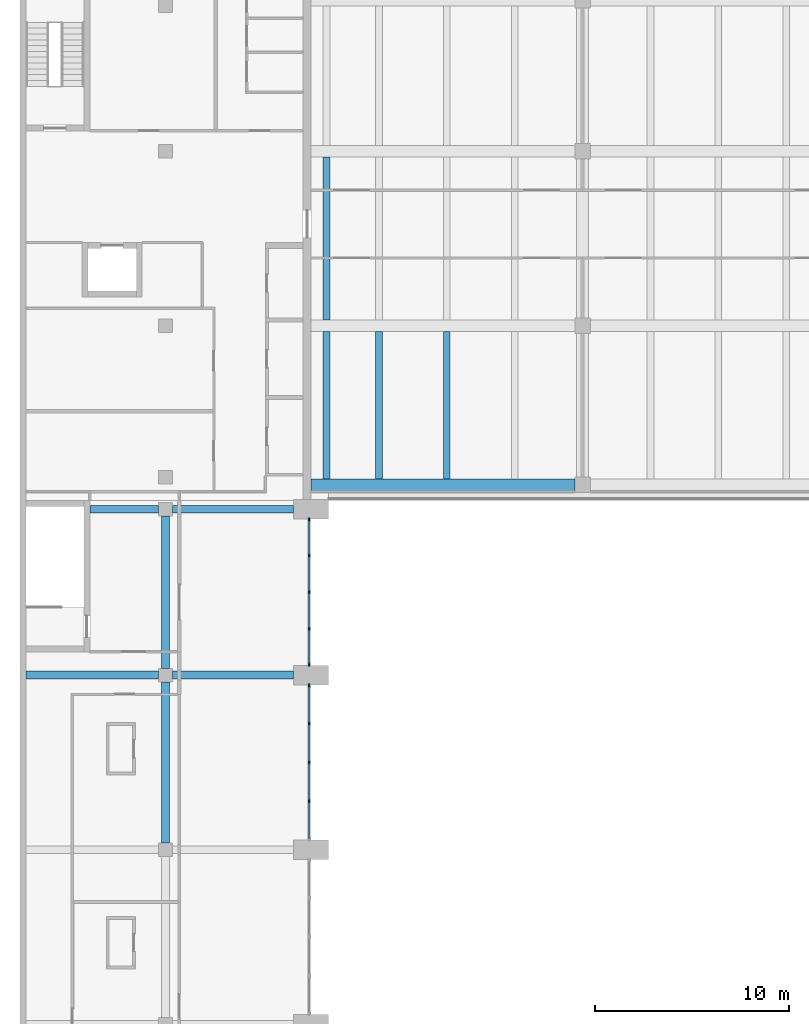
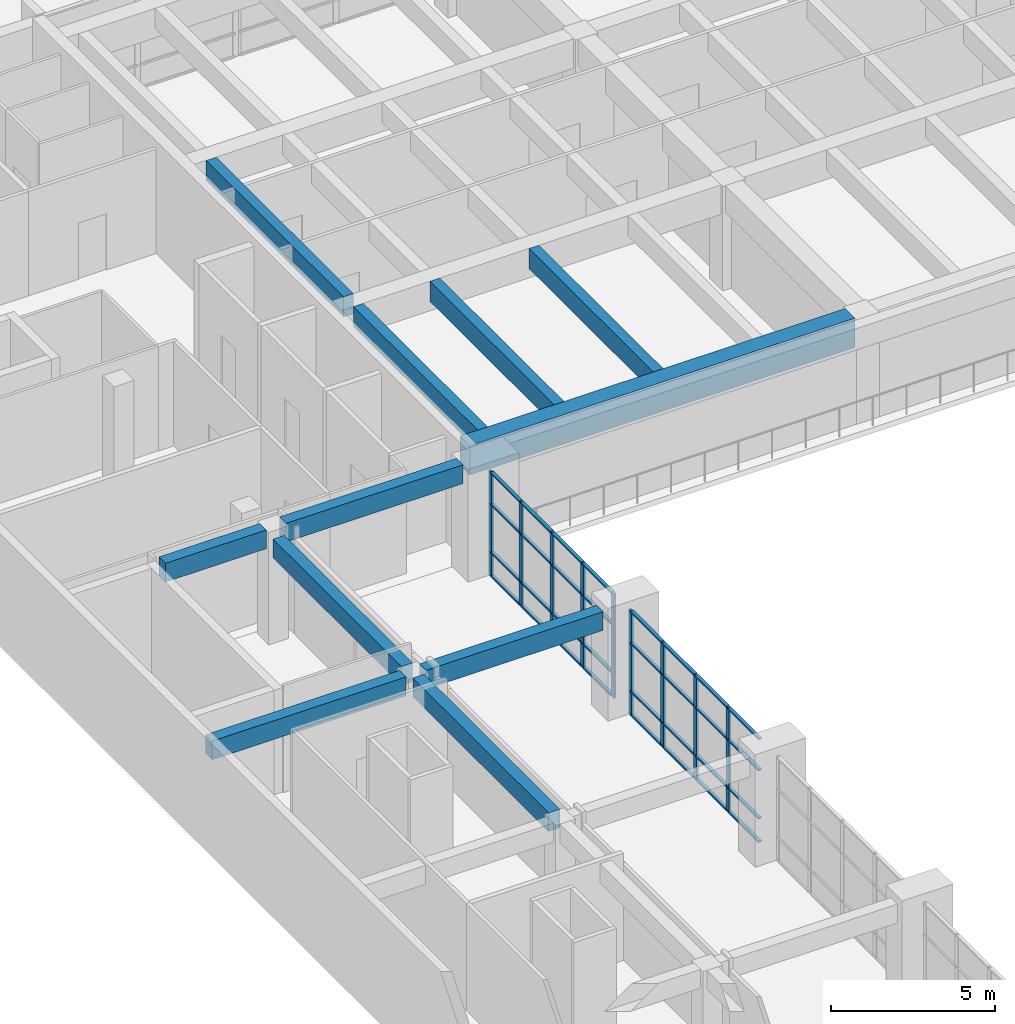
# One storey, part 11 of 45: 41 members, 11 beams, 2 elements without a shape of their own.
"""IFC4 building model written with IfcOpenShell, lengths in metres."""

from ifc_helpers import new_model, si_unit, direction, frame, origin, origin_2d, place, context, subcontext, project, spatial, rectangle, extrude, material, material_profile, profile_set, type_object, element, aggregate, save


model = new_model("IFC4")

# Units and contexts
model_context = context("Model", 3, precision=1e-05, world=origin(), true_north=direction((0.0, 1.0)))
body_context = subcontext(model_context, "Body", "Model", "MODEL_VIEW")
ifc_project = project(units=[si_unit("LENGTHUNIT", "METRE"), si_unit("AREAUNIT", "SQUARE_METRE"), si_unit("VOLUMEUNIT", "CUBIC_METRE"), si_unit("PLANEANGLEUNIT", "RADIAN"), si_unit("MASSUNIT", "GRAM", prefix="KILO")], contexts=[model_context])

# Site, building, storey
site_placement = place(None, origin())
site = spatial("IfcSite", under=ifc_project, at=site_placement, CompositionType="ELEMENT")
building_placement = place(site_placement, origin())
building = spatial("IfcBuilding", under=site, at=building_placement, Name="Elmora Arch Market Hall", CompositionType="ELEMENT")
storey_placement = place(building_placement, frame((0.0, 0.0, 6.0)))
storey = spatial("IfcBuildingStorey", under=building, at=storey_placement, Name="L01", CompositionType="ELEMENT", Elevation=6.0)

# Beams
ifc_material_1 = material(Name="Concrete C32/40", Category="concrete")
ifc_material_profile_1 = material_profile(ifc_material_1, rectangle(XDim=0.60009765625, YDim=1.10009765625, at=origin_2d()), Name="Bridge girder 600x1100")
ifc_profile_set_1 = profile_set([ifc_material_profile_1], Name="Concrete C32/40")
beam_type_1 = type_object("IfcBeamType", Name="Bridge girder 600x1100", PredefinedType="BEAM", material=ifc_profile_set_1)
beam_1_placement = place(storey_placement, frame((15.0, 99.800048828125, 3.35009765625), z_axis=(1.0, 0.0, 0.0), x_axis=(0.0, 1.0, 0.0)))
element("IfcBeam", 1, at=beam_1_placement, inside=storey, type_object=beam_type_1, Name="Bridge girder NR1 L01.1", PredefinedType="BEAM", context=body_context, shape_type="SweptSolid", body=[
    extrude(rectangle(XDim=0.60009765625, YDim=1.10009765625, at=origin_2d()), origin(), (0.0, 0.0, 1.0), 13.60009765625),
])
ifc_material_2 = material(Name="Concrete C32/40", Category="concrete")
ifc_material_profile_2 = material_profile(ifc_material_2, rectangle(XDim=0.35009765625, YDim=0.75, at=origin_2d()), Name="Bridge joist 350x750")
ifc_profile_set_2 = profile_set([ifc_material_profile_2], Name="Concrete C32/40")
beam_type_2 = type_object("IfcBeamType", Name="Bridge joist 350x750", PredefinedType="JOIST", material=ifc_profile_set_2)
beam_2_placement = place(storey_placement, frame((15.800048828125, 100.10009765625, 3.52490234375), z_axis=(0.0, 1.0, 0.0), x_axis=(-1.0, 0.0, 0.0)))
element("IfcBeam", 2, at=beam_2_placement, inside=storey, type_object=beam_type_2, Name="Bridge joist NJ1 L01.1", PredefinedType="JOIST", context=body_context, shape_type="SweptSolid", body=[
    extrude(rectangle(XDim=0.35009765625, YDim=0.75, at=origin_2d()), origin(), (0.0, 0.0, 1.0), 7.599853515625),
])
beam_3_placement = place(storey_placement, frame((15.800048828125, 108.300048828125, 3.52490234375), z_axis=(0.0, 1.0, 0.0), x_axis=(-1.0, 0.0, 0.0)))
element("IfcBeam", 3, at=beam_3_placement, inside=storey, type_object=beam_type_2, Name="Bridge joist NJ1 L01.2", PredefinedType="JOIST", context=body_context, shape_type="SweptSolid", body=[
    extrude(rectangle(XDim=0.35009765625, YDim=0.75, at=origin_2d()), origin(), (0.0, 0.0, 1.0), 8.39990234375),
])
for number, where, z_axis, x_axis, name in (
    (4, (18.5, 100.10009765625, 3.52490234375), (0.0, 1.0, 0.0), (-1.0, 0.0, 0.0), "Bridge joist NJ2 L01.1"),
    (5, (22.0, 100.10009765625, 3.52490234375), (0.0, 1.0, 0.0), (-1.0, 0.0, 0.0), "Bridge joist NJ3 L01.1"),
):
    element("IfcBeam", number, at=place(storey_placement, frame(where, z_axis=z_axis, x_axis=x_axis)), inside=storey, type_object=beam_type_2, Name=name, PredefinedType="JOIST", context=body_context, shape_type="SweptSolid", body=[
        extrude(rectangle(XDim=0.35009765625, YDim=0.75, at=origin_2d()), origin(), (0.0, 0.0, 1.0), 7.599853515625),
    ])

# Curtain wall, members
ifc_material_3 = material(Name="Aluminium", Category="aluminium")
curtain_wall_type = type_object("IfcCurtainWallType", Name="Hall front curtain wall", PredefinedType="NOTDEFINED", material=ifc_material_3)
curtain_wall_1_placement = place(storey_placement, origin())
curtain_wall_1 = element("IfcCurtainWall", 6, at=curtain_wall_1_placement, inside=storey, type_object=curtain_wall_type, Name="Wing front W L01 7", PredefinedType="NOTDEFINED")
ifc_material_4 = material(Name="Aluminium", Category="aluminium")
ifc_material_profile_3 = material_profile(ifc_material_4, rectangle(XDim=0.080078125, YDim=0.179931640625, at=origin_2d()), Name="AL 80x180")
ifc_profile_set_3 = profile_set([ifc_material_profile_3], Name="Aluminium")
member_type_1 = type_object("IfcMemberType", Name="Mullion 80x180", PredefinedType="MULLION", material=ifc_profile_set_3)
member_1_placement = place(storey_placement, frame((14.89990234375, 83.5, 0.0), z_axis=(0.0, 0.0, 1.0), x_axis=(-1.0, 0.0, 0.0)))
member_1 = element("IfcMember", 7, at=member_1_placement, type_object=member_type_1, Name="CW2 mullion 2", PredefinedType="MULLION", context=body_context, shape_type="SweptSolid", body=[
    extrude(rectangle(XDim=0.080078125, YDim=0.179931640625, at=origin_2d()), origin(), (0.0, 0.0, 1.0), 3.89990234375),
])
member_2_placement = place(storey_placement, frame((14.89990234375, 85.5, 0.0), z_axis=(0.0, 0.0, 1.0), x_axis=(-1.0, 0.0, 0.0)))
member_2 = element("IfcMember", 8, at=member_2_placement, type_object=member_type_1, Name="CW2 mullion 3", PredefinedType="MULLION", context=body_context, shape_type="SweptSolid", body=[
    extrude(rectangle(XDim=0.080078125, YDim=0.179931640625, at=origin_2d()), origin(), (0.0, 0.0, 1.0), 3.89990234375),
])
member_3_placement = place(storey_placement, frame((14.89990234375, 87.5, 0.0), z_axis=(0.0, 0.0, 1.0), x_axis=(-1.0, 0.0, 0.0)))
member_3 = element("IfcMember", 9, at=member_3_placement, type_object=member_type_1, Name="CW2 mullion 4", PredefinedType="MULLION", context=body_context, shape_type="SweptSolid", body=[
    extrude(rectangle(XDim=0.080078125, YDim=0.179931640625, at=origin_2d()), origin(), (0.0, 0.0, 1.0), 3.89990234375),
])
member_4_placement = place(storey_placement, frame((14.89990234375, 89.4599609375, 0.0), z_axis=(0.0, 0.0, 1.0), x_axis=(-1.0, 0.0, 0.0)))
member_4 = element("IfcMember", 10, at=member_4_placement, type_object=member_type_1, Name="CW2 mullion 5", PredefinedType="MULLION", context=body_context, shape_type="SweptSolid", body=[
    extrude(rectangle(XDim=0.080078125, YDim=0.179931640625, at=origin_2d()), origin(), (0.0, 0.0, 1.0), 3.89990234375),
])

curtain_wall_2_placement = place(storey_placement, origin())
curtain_wall_2 = element("IfcCurtainWall", 11, at=curtain_wall_2_placement, inside=storey, type_object=curtain_wall_type, Name="Wing front W L01 8", PredefinedType="NOTDEFINED")
member_5_placement = place(storey_placement, frame((14.89990234375, 90.5400390625, 0.0), z_axis=(0.0, 0.0, 1.0), x_axis=(-1.0, 0.0, 0.0)))
member_5 = element("IfcMember", 12, at=member_5_placement, type_object=member_type_1, Name="CW2 mullion 1", PredefinedType="MULLION", context=body_context, shape_type="SweptSolid", body=[
    extrude(rectangle(XDim=0.080078125, YDim=0.179931640625, at=origin_2d()), origin(), (0.0, 0.0, 1.0), 3.89990234375),
])
member_6_placement = place(storey_placement, frame((14.89990234375, 92.387451171875, 0.0), z_axis=(0.0, 0.0, 1.0), x_axis=(-1.0, 0.0, 0.0)))
member_6 = element("IfcMember", 13, at=member_6_placement, type_object=member_type_1, Name="CW2 mullion 2", PredefinedType="MULLION", context=body_context, shape_type="SweptSolid", body=[
    extrude(rectangle(XDim=0.080078125, YDim=0.179931640625, at=origin_2d()), origin(), (0.0, 0.0, 1.0), 3.89990234375),
])
member_7_placement = place(storey_placement, frame((14.89990234375, 94.27490234375, 0.0), z_axis=(0.0, 0.0, 1.0), x_axis=(-1.0, 0.0, 0.0)))
member_7 = element("IfcMember", 14, at=member_7_placement, type_object=member_type_1, Name="CW2 mullion 3", PredefinedType="MULLION", context=body_context, shape_type="SweptSolid", body=[
    extrude(rectangle(XDim=0.080078125, YDim=0.179931640625, at=origin_2d()), origin(), (0.0, 0.0, 1.0), 3.89990234375),
])
member_8_placement = place(storey_placement, frame((14.89990234375, 96.16259765625, 0.0), z_axis=(0.0, 0.0, 1.0), x_axis=(-1.0, 0.0, 0.0)))
member_8 = element("IfcMember", 15, at=member_8_placement, type_object=member_type_1, Name="CW2 mullion 4", PredefinedType="MULLION", context=body_context, shape_type="SweptSolid", body=[
    extrude(rectangle(XDim=0.080078125, YDim=0.179931640625, at=origin_2d()), origin(), (0.0, 0.0, 1.0), 3.89990234375),
])
member_9_placement = place(storey_placement, frame((14.89990234375, 98.010009765625, 0.0), z_axis=(0.0, 0.0, 1.0), x_axis=(-1.0, 0.0, 0.0)))
member_9 = element("IfcMember", 16, at=member_9_placement, type_object=member_type_1, Name="CW2 mullion 5", PredefinedType="MULLION", context=body_context, shape_type="SweptSolid", body=[
    extrude(rectangle(XDim=0.080078125, YDim=0.179931640625, at=origin_2d()), origin(), (0.0, 0.0, 1.0), 3.89990234375),
])

# Member
ifc_material_5 = material(Name="Aluminium", Category="aluminium")
ifc_material_profile_4 = material_profile(ifc_material_5, rectangle(XDim=0.1201171875, YDim=0.06005859375, at=origin_2d()), Name="AL 120x60")
ifc_profile_set_4 = profile_set([ifc_material_profile_4], Name="Aluminium")
member_type_2 = type_object("IfcMemberType", Name="Transom 120x60", PredefinedType="USERDEFINED", material=ifc_profile_set_4)
member_10_placement = place(storey_placement, frame((14.89990234375, 81.580078125, 0.030029296875), z_axis=(0.0, 1.0, 0.0), x_axis=(-1.0, 0.0, 0.0)))
member_10 = element("IfcMember", 17, at=member_10_placement, type_object=member_type_2, Name="CW2 transom 1.1", ObjectType="TRANSOM", PredefinedType="USERDEFINED", context=body_context, shape_type="SweptSolid", body=[
    extrude(rectangle(XDim=0.1201171875, YDim=0.06005859375, at=origin_2d()), origin(), (0.0, 0.0, 1.0), 1.8798828125),
])

member_11_placement = place(storey_placement, frame((14.89990234375, 81.580078125, 0.89990234375), z_axis=(0.0, 1.0, 0.0), x_axis=(-1.0, 0.0, 0.0)))
member_11 = element("IfcMember", 18, at=member_11_placement, type_object=member_type_2, Name="CW2 transom 1.2", ObjectType="TRANSOM", PredefinedType="USERDEFINED", context=body_context, shape_type="SweptSolid", body=[
    extrude(rectangle(XDim=0.1201171875, YDim=0.06005859375, at=origin_2d()), origin(), (0.0, 0.0, 1.0), 1.8798828125),
])

member_12_placement = place(storey_placement, frame((14.89990234375, 81.580078125, 2.699951171875), z_axis=(0.0, 1.0, 0.0), x_axis=(-1.0, 0.0, 0.0)))
member_12 = element("IfcMember", 19, at=member_12_placement, type_object=member_type_2, Name="CW2 transom 1.3", ObjectType="TRANSOM", PredefinedType="USERDEFINED", context=body_context, shape_type="SweptSolid", body=[
    extrude(rectangle(XDim=0.1201171875, YDim=0.06005859375, at=origin_2d()), origin(), (0.0, 0.0, 1.0), 1.8798828125),
])

member_13_placement = place(storey_placement, frame((14.89990234375, 81.580078125, 3.8701171875), z_axis=(0.0, 1.0, 0.0), x_axis=(-1.0, 0.0, 0.0)))
member_13 = element("IfcMember", 20, at=member_13_placement, type_object=member_type_2, Name="CW2 transom 1.4", ObjectType="TRANSOM", PredefinedType="USERDEFINED", context=body_context, shape_type="SweptSolid", body=[
    extrude(rectangle(XDim=0.1201171875, YDim=0.06005859375, at=origin_2d()), origin(), (0.0, 0.0, 1.0), 1.8798828125),
])

member_14_placement = place(storey_placement, frame((14.89990234375, 83.5400390625, 0.030029296875), z_axis=(0.0, 1.0, 0.0), x_axis=(-1.0, 0.0, 0.0)))
member_14 = element("IfcMember", 21, at=member_14_placement, type_object=member_type_2, Name="CW2 transom 2.1", ObjectType="TRANSOM", PredefinedType="USERDEFINED", context=body_context, shape_type="SweptSolid", body=[
    extrude(rectangle(XDim=0.1201171875, YDim=0.06005859375, at=origin_2d()), origin(), (0.0, 0.0, 1.0), 1.919921875),
])

member_15_placement = place(storey_placement, frame((14.89990234375, 83.5400390625, 0.89990234375), z_axis=(0.0, 1.0, 0.0), x_axis=(-1.0, 0.0, 0.0)))
member_15 = element("IfcMember", 22, at=member_15_placement, type_object=member_type_2, Name="CW2 transom 2.2", ObjectType="TRANSOM", PredefinedType="USERDEFINED", context=body_context, shape_type="SweptSolid", body=[
    extrude(rectangle(XDim=0.1201171875, YDim=0.06005859375, at=origin_2d()), origin(), (0.0, 0.0, 1.0), 1.919921875),
])

member_16_placement = place(storey_placement, frame((14.89990234375, 83.5400390625, 2.699951171875), z_axis=(0.0, 1.0, 0.0), x_axis=(-1.0, 0.0, 0.0)))
member_16 = element("IfcMember", 23, at=member_16_placement, type_object=member_type_2, Name="CW2 transom 2.3", ObjectType="TRANSOM", PredefinedType="USERDEFINED", context=body_context, shape_type="SweptSolid", body=[
    extrude(rectangle(XDim=0.1201171875, YDim=0.06005859375, at=origin_2d()), origin(), (0.0, 0.0, 1.0), 1.919921875),
])

member_17_placement = place(storey_placement, frame((14.89990234375, 83.5400390625, 3.8701171875), z_axis=(0.0, 1.0, 0.0), x_axis=(-1.0, 0.0, 0.0)))
member_17 = element("IfcMember", 24, at=member_17_placement, type_object=member_type_2, Name="CW2 transom 2.4", ObjectType="TRANSOM", PredefinedType="USERDEFINED", context=body_context, shape_type="SweptSolid", body=[
    extrude(rectangle(XDim=0.1201171875, YDim=0.06005859375, at=origin_2d()), origin(), (0.0, 0.0, 1.0), 1.919921875),
])

member_18_placement = place(storey_placement, frame((14.89990234375, 85.5400390625, 0.030029296875), z_axis=(0.0, 1.0, 0.0), x_axis=(-1.0, 0.0, 0.0)))
member_18 = element("IfcMember", 25, at=member_18_placement, type_object=member_type_2, Name="CW2 transom 3.1", ObjectType="TRANSOM", PredefinedType="USERDEFINED", context=body_context, shape_type="SweptSolid", body=[
    extrude(rectangle(XDim=0.1201171875, YDim=0.06005859375, at=origin_2d()), origin(), (0.0, 0.0, 1.0), 1.919921875),
])

member_19_placement = place(storey_placement, frame((14.89990234375, 85.5400390625, 0.89990234375), z_axis=(0.0, 1.0, 0.0), x_axis=(-1.0, 0.0, 0.0)))
member_19 = element("IfcMember", 26, at=member_19_placement, type_object=member_type_2, Name="CW2 transom 3.2", ObjectType="TRANSOM", PredefinedType="USERDEFINED", context=body_context, shape_type="SweptSolid", body=[
    extrude(rectangle(XDim=0.1201171875, YDim=0.06005859375, at=origin_2d()), origin(), (0.0, 0.0, 1.0), 1.919921875),
])

member_20_placement = place(storey_placement, frame((14.89990234375, 85.5400390625, 2.699951171875), z_axis=(0.0, 1.0, 0.0), x_axis=(-1.0, 0.0, 0.0)))
member_20 = element("IfcMember", 27, at=member_20_placement, type_object=member_type_2, Name="CW2 transom 3.3", ObjectType="TRANSOM", PredefinedType="USERDEFINED", context=body_context, shape_type="SweptSolid", body=[
    extrude(rectangle(XDim=0.1201171875, YDim=0.06005859375, at=origin_2d()), origin(), (0.0, 0.0, 1.0), 1.919921875),
])

member_21_placement = place(storey_placement, frame((14.89990234375, 85.5400390625, 3.8701171875), z_axis=(0.0, 1.0, 0.0), x_axis=(-1.0, 0.0, 0.0)))
member_21 = element("IfcMember", 28, at=member_21_placement, type_object=member_type_2, Name="CW2 transom 3.4", ObjectType="TRANSOM", PredefinedType="USERDEFINED", context=body_context, shape_type="SweptSolid", body=[
    extrude(rectangle(XDim=0.1201171875, YDim=0.06005859375, at=origin_2d()), origin(), (0.0, 0.0, 1.0), 1.919921875),
])

member_22_placement = place(storey_placement, frame((14.89990234375, 87.5400390625, 0.030029296875), z_axis=(0.0, 1.0, 0.0), x_axis=(-1.0, 0.0, 0.0)))
member_22 = element("IfcMember", 29, at=member_22_placement, type_object=member_type_2, Name="CW2 transom 4.1", ObjectType="TRANSOM", PredefinedType="USERDEFINED", context=body_context, shape_type="SweptSolid", body=[
    extrude(rectangle(XDim=0.1201171875, YDim=0.06005859375, at=origin_2d()), origin(), (0.0, 0.0, 1.0), 1.8798828125),
])

member_23_placement = place(storey_placement, frame((14.89990234375, 87.5400390625, 0.89990234375), z_axis=(0.0, 1.0, 0.0), x_axis=(-1.0, 0.0, 0.0)))
member_23 = element("IfcMember", 30, at=member_23_placement, type_object=member_type_2, Name="CW2 transom 4.2", ObjectType="TRANSOM", PredefinedType="USERDEFINED", context=body_context, shape_type="SweptSolid", body=[
    extrude(rectangle(XDim=0.1201171875, YDim=0.06005859375, at=origin_2d()), origin(), (0.0, 0.0, 1.0), 1.8798828125),
])

member_24_placement = place(storey_placement, frame((14.89990234375, 87.5400390625, 2.699951171875), z_axis=(0.0, 1.0, 0.0), x_axis=(-1.0, 0.0, 0.0)))
member_24 = element("IfcMember", 31, at=member_24_placement, type_object=member_type_2, Name="CW2 transom 4.3", ObjectType="TRANSOM", PredefinedType="USERDEFINED", context=body_context, shape_type="SweptSolid", body=[
    extrude(rectangle(XDim=0.1201171875, YDim=0.06005859375, at=origin_2d()), origin(), (0.0, 0.0, 1.0), 1.8798828125),
])

member_25_placement = place(storey_placement, frame((14.89990234375, 87.5400390625, 3.8701171875), z_axis=(0.0, 1.0, 0.0), x_axis=(-1.0, 0.0, 0.0)))
member_25 = element("IfcMember", 32, at=member_25_placement, type_object=member_type_2, Name="CW2 transom 4.4", ObjectType="TRANSOM", PredefinedType="USERDEFINED", context=body_context, shape_type="SweptSolid", body=[
    extrude(rectangle(XDim=0.1201171875, YDim=0.06005859375, at=origin_2d()), origin(), (0.0, 0.0, 1.0), 1.8798828125),
])

aggregate(curtain_wall_1, [member_1, member_2, member_3, member_4, member_10, member_11, member_12, member_13, member_14, member_15, member_16, member_17, member_18, member_19, member_20, member_21, member_22, member_23, member_24, member_25])

member_26_placement = place(storey_placement, frame((14.89990234375, 90.580078125, 0.030029296875), z_axis=(0.0, 1.0, 0.0), x_axis=(-1.0, 0.0, 0.0)))
member_26 = element("IfcMember", 33, at=member_26_placement, type_object=member_type_2, Name="CW2 transom 1.1", ObjectType="TRANSOM", PredefinedType="USERDEFINED", context=body_context, shape_type="SweptSolid", body=[
    extrude(rectangle(XDim=0.1201171875, YDim=0.06005859375, at=origin_2d()), origin(), (0.0, 0.0, 1.0), 1.767333984375),
])

member_27_placement = place(storey_placement, frame((14.89990234375, 90.580078125, 0.89990234375), z_axis=(0.0, 1.0, 0.0), x_axis=(-1.0, 0.0, 0.0)))
member_27 = element("IfcMember", 34, at=member_27_placement, type_object=member_type_2, Name="CW2 transom 1.2", ObjectType="TRANSOM", PredefinedType="USERDEFINED", context=body_context, shape_type="SweptSolid", body=[
    extrude(rectangle(XDim=0.1201171875, YDim=0.06005859375, at=origin_2d()), origin(), (0.0, 0.0, 1.0), 1.767333984375),
])

member_28_placement = place(storey_placement, frame((14.89990234375, 90.580078125, 2.699951171875), z_axis=(0.0, 1.0, 0.0), x_axis=(-1.0, 0.0, 0.0)))
member_28 = element("IfcMember", 35, at=member_28_placement, type_object=member_type_2, Name="CW2 transom 1.3", ObjectType="TRANSOM", PredefinedType="USERDEFINED", context=body_context, shape_type="SweptSolid", body=[
    extrude(rectangle(XDim=0.1201171875, YDim=0.06005859375, at=origin_2d()), origin(), (0.0, 0.0, 1.0), 1.767333984375),
])

member_29_placement = place(storey_placement, frame((14.89990234375, 90.580078125, 3.8701171875), z_axis=(0.0, 1.0, 0.0), x_axis=(-1.0, 0.0, 0.0)))
member_29 = element("IfcMember", 36, at=member_29_placement, type_object=member_type_2, Name="CW2 transom 1.4", ObjectType="TRANSOM", PredefinedType="USERDEFINED", context=body_context, shape_type="SweptSolid", body=[
    extrude(rectangle(XDim=0.1201171875, YDim=0.06005859375, at=origin_2d()), origin(), (0.0, 0.0, 1.0), 1.767333984375),
])

member_30_placement = place(storey_placement, frame((14.89990234375, 92.427490234375, 0.030029296875), z_axis=(0.0, 1.0, 0.0), x_axis=(-1.0, 0.0, 0.0)))
member_30 = element("IfcMember", 37, at=member_30_placement, type_object=member_type_2, Name="CW2 transom 2.1", ObjectType="TRANSOM", PredefinedType="USERDEFINED", context=body_context, shape_type="SweptSolid", body=[
    extrude(rectangle(XDim=0.1201171875, YDim=0.06005859375, at=origin_2d()), origin(), (0.0, 0.0, 1.0), 1.8076171875),
])

member_31_placement = place(storey_placement, frame((14.89990234375, 92.427490234375, 0.89990234375), z_axis=(0.0, 1.0, 0.0), x_axis=(-1.0, 0.0, 0.0)))
member_31 = element("IfcMember", 38, at=member_31_placement, type_object=member_type_2, Name="CW2 transom 2.2", ObjectType="TRANSOM", PredefinedType="USERDEFINED", context=body_context, shape_type="SweptSolid", body=[
    extrude(rectangle(XDim=0.1201171875, YDim=0.06005859375, at=origin_2d()), origin(), (0.0, 0.0, 1.0), 1.8076171875),
])

member_32_placement = place(storey_placement, frame((14.89990234375, 92.427490234375, 2.699951171875), z_axis=(0.0, 1.0, 0.0), x_axis=(-1.0, 0.0, 0.0)))
member_32 = element("IfcMember", 39, at=member_32_placement, type_object=member_type_2, Name="CW2 transom 2.3", ObjectType="TRANSOM", PredefinedType="USERDEFINED", context=body_context, shape_type="SweptSolid", body=[
    extrude(rectangle(XDim=0.1201171875, YDim=0.06005859375, at=origin_2d()), origin(), (0.0, 0.0, 1.0), 1.8076171875),
])

member_33_placement = place(storey_placement, frame((14.89990234375, 92.427490234375, 3.8701171875), z_axis=(0.0, 1.0, 0.0), x_axis=(-1.0, 0.0, 0.0)))
member_33 = element("IfcMember", 40, at=member_33_placement, type_object=member_type_2, Name="CW2 transom 2.4", ObjectType="TRANSOM", PredefinedType="USERDEFINED", context=body_context, shape_type="SweptSolid", body=[
    extrude(rectangle(XDim=0.1201171875, YDim=0.06005859375, at=origin_2d()), origin(), (0.0, 0.0, 1.0), 1.8076171875),
])

member_34_placement = place(storey_placement, frame((14.89990234375, 94.31494140625, 0.030029296875), z_axis=(0.0, 1.0, 0.0), x_axis=(-1.0, 0.0, 0.0)))
member_34 = element("IfcMember", 41, at=member_34_placement, type_object=member_type_2, Name="CW2 transom 3.1", ObjectType="TRANSOM", PredefinedType="USERDEFINED", context=body_context, shape_type="SweptSolid", body=[
    extrude(rectangle(XDim=0.1201171875, YDim=0.06005859375, at=origin_2d()), origin(), (0.0, 0.0, 1.0), 1.8076171875),
])

member_35_placement = place(storey_placement, frame((14.89990234375, 94.31494140625, 0.89990234375), z_axis=(0.0, 1.0, 0.0), x_axis=(-1.0, 0.0, 0.0)))
member_35 = element("IfcMember", 42, at=member_35_placement, type_object=member_type_2, Name="CW2 transom 3.2", ObjectType="TRANSOM", PredefinedType="USERDEFINED", context=body_context, shape_type="SweptSolid", body=[
    extrude(rectangle(XDim=0.1201171875, YDim=0.06005859375, at=origin_2d()), origin(), (0.0, 0.0, 1.0), 1.8076171875),
])

member_36_placement = place(storey_placement, frame((14.89990234375, 94.31494140625, 2.699951171875), z_axis=(0.0, 1.0, 0.0), x_axis=(-1.0, 0.0, 0.0)))
member_36 = element("IfcMember", 43, at=member_36_placement, type_object=member_type_2, Name="CW2 transom 3.3", ObjectType="TRANSOM", PredefinedType="USERDEFINED", context=body_context, shape_type="SweptSolid", body=[
    extrude(rectangle(XDim=0.1201171875, YDim=0.06005859375, at=origin_2d()), origin(), (0.0, 0.0, 1.0), 1.8076171875),
])

member_37_placement = place(storey_placement, frame((14.89990234375, 94.31494140625, 3.8701171875), z_axis=(0.0, 1.0, 0.0), x_axis=(-1.0, 0.0, 0.0)))
member_37 = element("IfcMember", 44, at=member_37_placement, type_object=member_type_2, Name="CW2 transom 3.4", ObjectType="TRANSOM", PredefinedType="USERDEFINED", context=body_context, shape_type="SweptSolid", body=[
    extrude(rectangle(XDim=0.1201171875, YDim=0.06005859375, at=origin_2d()), origin(), (0.0, 0.0, 1.0), 1.8076171875),
])

member_38_placement = place(storey_placement, frame((14.89990234375, 96.202392578125, 0.030029296875), z_axis=(0.0, 1.0, 0.0), x_axis=(-1.0, 0.0, 0.0)))
member_38 = element("IfcMember", 45, at=member_38_placement, type_object=member_type_2, Name="CW2 transom 4.1", ObjectType="TRANSOM", PredefinedType="USERDEFINED", context=body_context, shape_type="SweptSolid", body=[
    extrude(rectangle(XDim=0.1201171875, YDim=0.06005859375, at=origin_2d()), origin(), (0.0, 0.0, 1.0), 1.767578125),
])

member_39_placement = place(storey_placement, frame((14.89990234375, 96.202392578125, 0.89990234375), z_axis=(0.0, 1.0, 0.0), x_axis=(-1.0, 0.0, 0.0)))
member_39 = element("IfcMember", 46, at=member_39_placement, type_object=member_type_2, Name="CW2 transom 4.2", ObjectType="TRANSOM", PredefinedType="USERDEFINED", context=body_context, shape_type="SweptSolid", body=[
    extrude(rectangle(XDim=0.1201171875, YDim=0.06005859375, at=origin_2d()), origin(), (0.0, 0.0, 1.0), 1.767578125),
])

member_40_placement = place(storey_placement, frame((14.89990234375, 96.202392578125, 2.699951171875), z_axis=(0.0, 1.0, 0.0), x_axis=(-1.0, 0.0, 0.0)))
member_40 = element("IfcMember", 47, at=member_40_placement, type_object=member_type_2, Name="CW2 transom 4.3", ObjectType="TRANSOM", PredefinedType="USERDEFINED", context=body_context, shape_type="SweptSolid", body=[
    extrude(rectangle(XDim=0.1201171875, YDim=0.06005859375, at=origin_2d()), origin(), (0.0, 0.0, 1.0), 1.767578125),
])

member_41_placement = place(storey_placement, frame((14.89990234375, 96.202392578125, 3.8701171875), z_axis=(0.0, 1.0, 0.0), x_axis=(-1.0, 0.0, 0.0)))
member_41 = element("IfcMember", 48, at=member_41_placement, type_object=member_type_2, Name="CW2 transom 4.4", ObjectType="TRANSOM", PredefinedType="USERDEFINED", context=body_context, shape_type="SweptSolid", body=[
    extrude(rectangle(XDim=0.1201171875, YDim=0.06005859375, at=origin_2d()), origin(), (0.0, 0.0, 1.0), 1.767578125),
])

aggregate(curtain_wall_2, [member_5, member_6, member_7, member_8, member_9, member_26, member_27, member_28, member_29, member_30, member_31, member_32, member_33, member_34, member_35, member_36, member_37, member_38, member_39, member_40, member_41])

# Beams
ifc_material_6 = material(Name="Concrete C32/40", Category="concrete")
ifc_material_profile_5 = material_profile(ifc_material_6, rectangle(XDim=0.39990234375, YDim=0.699951171875, at=origin_2d()), Name="Wing beam 400x700")
ifc_profile_set_5 = profile_set([ifc_material_profile_5], Name="Concrete C32/40")
beam_type_3 = type_object("IfcBeamType", Name="Wing beam 400x700", PredefinedType="BEAM", material=ifc_profile_set_5)
beam_4_placement = place(storey_placement, frame((0.300048828125, 90.0, 3.550048828125), z_axis=(1.0, 0.0, 0.0), x_axis=(0.0, 1.0, 0.0)))
element("IfcBeam", 49, at=beam_4_placement, inside=storey, type_object=beam_type_3, Name="Wing beam WR8 L01.1", PredefinedType="BEAM", context=body_context, shape_type="SweptSolid", body=[
    extrude(rectangle(XDim=0.39990234375, YDim=0.699951171875, at=origin_2d()), origin(), (0.0, 0.0, 1.0), 6.849853515625),
])
beam_5_placement = place(storey_placement, frame((7.85009765625, 90.0, 3.550048828125), z_axis=(1.0, 0.0, 0.0), x_axis=(0.0, 1.0, 0.0)))
element("IfcBeam", 50, at=beam_5_placement, inside=storey, type_object=beam_type_3, Name="Wing beam WR8 L01.2", PredefinedType="BEAM", context=body_context, shape_type="SweptSolid", body=[
    extrude(rectangle(XDim=0.39990234375, YDim=0.699951171875, at=origin_2d()), origin(), (0.0, 0.0, 1.0), 6.25),
])
beam_6_placement = place(storey_placement, frame((3.60009765625, 98.550048828125, 3.85009765625), z_axis=(1.0, 0.0, 0.0), x_axis=(0.0, 1.0, 0.0)))
element("IfcBeam", 51, at=beam_6_placement, inside=storey, type_object=beam_type_3, Name="Wing beam WR9 L01.1", PredefinedType="BEAM", context=body_context, shape_type="SweptSolid", body=[
    extrude(rectangle(XDim=0.39990234375, YDim=0.699951171875, at=origin_2d()), origin(), (0.0, 0.0, 1.0), 3.5498046875),
])
beam_7_placement = place(storey_placement, frame((7.85009765625, 98.550048828125, 3.85009765625), z_axis=(1.0, 0.0, 0.0), x_axis=(0.0, 1.0, 0.0)))
element("IfcBeam", 52, at=beam_7_placement, inside=storey, type_object=beam_type_3, Name="Wing beam WR9 L01.2", PredefinedType="BEAM", context=body_context, shape_type="SweptSolid", body=[
    extrude(rectangle(XDim=0.39990234375, YDim=0.699951171875, at=origin_2d()), origin(), (0.0, 0.0, 1.0), 6.25),
])
beam_8_placement = place(storey_placement, frame((7.5, 81.35009765625, 3.550048828125), z_axis=(0.0, 1.0, 0.0), x_axis=(-1.0, 0.0, 0.0)))
element("IfcBeam", 53, at=beam_8_placement, inside=storey, type_object=beam_type_3, Name="Wing beam WG L01.7", PredefinedType="BEAM", context=body_context, shape_type="SweptSolid", body=[
    extrude(rectangle(XDim=0.39990234375, YDim=0.699951171875, at=origin_2d()), origin(), (0.0, 0.0, 1.0), 8.2998046875),
])
beam_9_placement = place(storey_placement, frame((7.5, 90.35009765625, 3.550048828125), z_axis=(0.0, 1.0, 0.0), x_axis=(-1.0, 0.0, 0.0)))
element("IfcBeam", 54, at=beam_9_placement, inside=storey, type_object=beam_type_3, Name="Wing beam WG L01.8", PredefinedType="BEAM", context=body_context, shape_type="SweptSolid", body=[
    extrude(rectangle(XDim=0.39990234375, YDim=0.699951171875, at=origin_2d()), origin(), (0.0, 0.0, 1.0), 7.849853515625),
])

save(model, "model.ifc")
